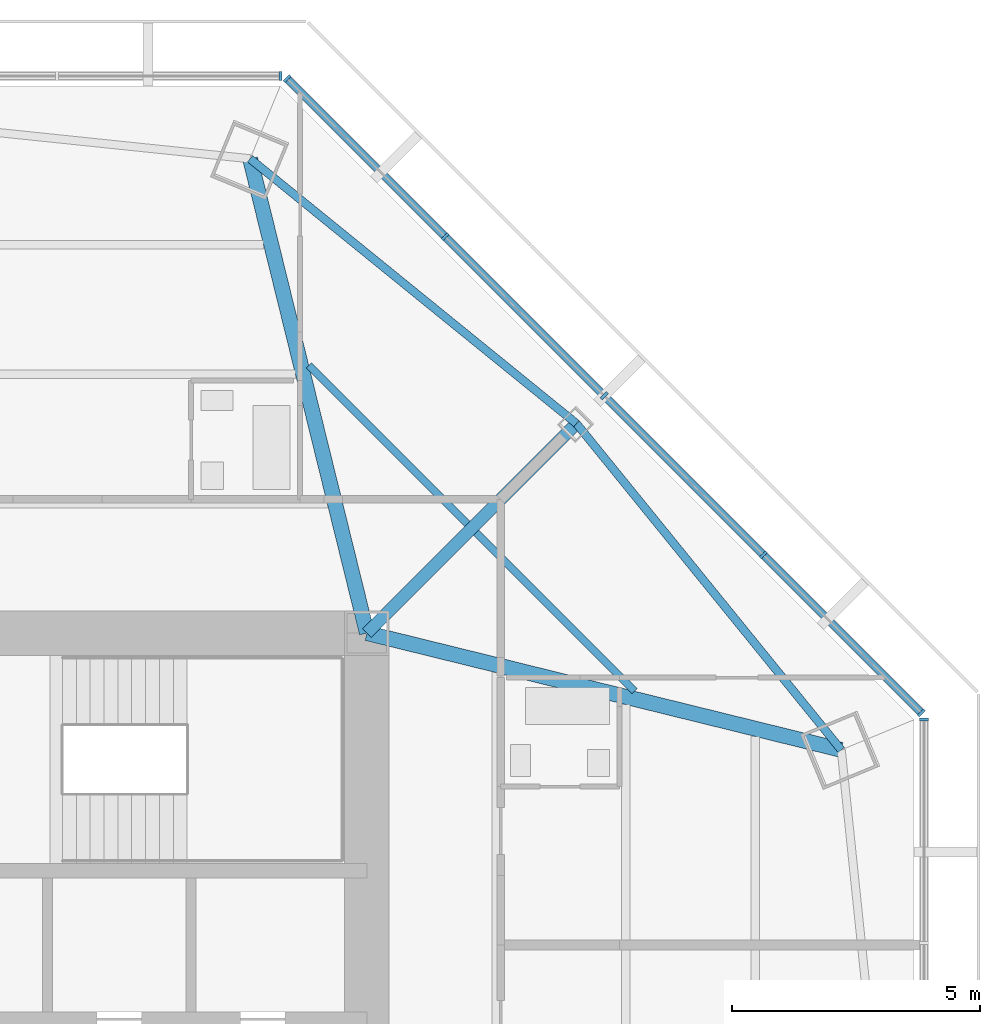
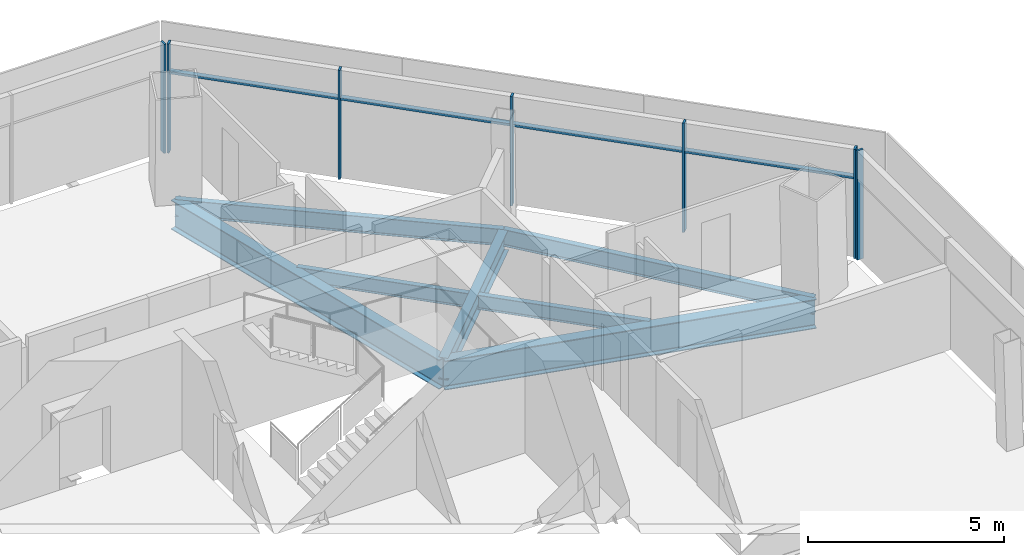
# One storey, part 6 of 15: 11 members, 7 beams, 3 elements without a shape of their own.
"""IFC4 building model written with IfcOpenShell, lengths in metres."""

from ifc_helpers import new_model, si_unit, direction, frame, origin, origin_2d, place, context, subcontext, project, spatial, rectangle, i_section, extrude, source, transform, mapped, material, material_profile, profile_set, type_object, type_shapes, element, aggregate, save


model = new_model("IFC4")

# Units and contexts
model_context = context("Model", 3, precision=1e-05, world=origin(), true_north=direction((0.0, 1.0)))
body_context = subcontext(model_context, "Body", "Model", "MODEL_VIEW")
ifc_project = project(units=[si_unit("LENGTHUNIT", "METRE"), si_unit("AREAUNIT", "SQUARE_METRE"), si_unit("VOLUMEUNIT", "CUBIC_METRE"), si_unit("PLANEANGLEUNIT", "RADIAN"), si_unit("MASSUNIT", "GRAM", prefix="KILO")], contexts=[model_context])

# Site, building, storey
site_placement = place(None, origin())
site = spatial("IfcSite", under=ifc_project, at=site_placement, CompositionType="ELEMENT")
building_placement = place(site_placement, origin())
building = spatial("IfcBuilding", under=site, at=building_placement, Name="Mashrafa Tower", CompositionType="ELEMENT")
storey_placement = place(building_placement, frame((0.0, 0.0, 210.800048828125)))
storey = spatial("IfcBuildingStorey", under=building, at=storey_placement, Name="L48", CompositionType="ELEMENT", Elevation=210.800048828125)

# Beams
ifc_material_1 = material(Name="Steel ASTM A992", Category="steel")
ifc_material_profile_1 = material_profile(ifc_material_1, i_section(OverallWidth=0.15234375, OverallDepth=0.449462890625, WebThickness=0.007568359375, FlangeThickness=0.0107421875, FilletRadius=0.01025390625, at=origin_2d()), Name="W18X35")
ifc_profile_set_1 = profile_set([ifc_material_profile_1], Name="Steel ASTM A992")
beam_type_1 = type_object("IfcBeamType", Name="Beam W18X35", PredefinedType="BEAM", material=ifc_profile_set_1)
for number, where, z_axis, x_axis, name in (
    (1, (9.6259765625, 16.205078125, -0.4248046875), (0.707106781187, -0.707106781187, 0.0), (0.707106781187, 0.707106781187, 0.0), "Floor beam L48 021"),
    (2, (13.00537109375, 12.82568359375, -0.4248046875), (0.707106781187, -0.707106781187, 0.0), (0.707106781187, 0.707106781187, 0.0), "Floor beam L48 025"),
):
    element("IfcBeam", number, at=place(storey_placement, frame(where, z_axis=z_axis, x_axis=x_axis)), inside=storey, type_object=beam_type_1, Name=name, PredefinedType="BEAM", context=body_context, shape_type="SweptSolid", body=[
        extrude(i_section(OverallWidth=0.15234375, OverallDepth=0.449462890625, WebThickness=0.007568359375, FlangeThickness=0.0107421875, FilletRadius=0.01025390625, at=origin_2d()), origin(), (0.0, 0.0, 1.0), 4.525146484375),
    ])
ifc_material_2 = material(Name="Steel ASTM A992", Category="steel")
ifc_material_profile_2 = material_profile(ifc_material_2, i_section(OverallWidth=0.1650390625, OverallDepth=0.52587890625, WebThickness=0.0087890625, FlangeThickness=0.011474609375, FilletRadius=0.0126953125, at=origin_2d()), Name="W21X44")
ifc_profile_set_2 = profile_set([ifc_material_profile_2], Name="Steel ASTM A992")
beam_type_2 = type_object("IfcBeamType", Name="Beam W21X44", PredefinedType="BEAM", material=ifc_profile_set_2)
for number, where, z_axis, x_axis, name in (
    (3, (15.031005859375, 15.031005859375, -0.462890625), (-0.776479921466, 0.630141993173, 0.0), (-0.630141993173, -0.776479921466, 0.0), "Spandrel beam L48 061"),
    (4, (20.37890625, 8.441162109375, -0.462890625), (-0.630141993173, 0.776479921466, 0.0), (-0.776479921466, -0.630141993173, 0.0), "Spandrel beam L48 063"),
):
    element("IfcBeam", number, at=place(storey_placement, frame(where, z_axis=z_axis, x_axis=x_axis)), inside=storey, type_object=beam_type_2, Name=name, PredefinedType="BEAM", context=body_context, shape_type="SweptSolid", body=[
        extrude(i_section(OverallWidth=0.1650390625, OverallDepth=0.52587890625, WebThickness=0.0087890625, FlangeThickness=0.011474609375, FilletRadius=0.0126953125, at=origin_2d()), origin(), (0.0, 0.0, 1.0), 8.48681640625),
    ])
ifc_material_3 = material(Name="Steel ASTM A992", Category="steel")
ifc_material_profile_3 = material_profile(ifc_material_3, i_section(OverallWidth=0.25390625, OverallDepth=0.67822265625, WebThickness=0.01171875, FlangeThickness=0.016357421875, FilletRadius=0.01513671875, at=origin_2d()), Name="W27X84")
ifc_profile_set_3 = profile_set([ifc_material_profile_3], Name="Steel ASTM A992")
beam_type_3 = type_object("IfcBeamType", Name="Beam W27X84", PredefinedType="BEAM", material=ifc_profile_set_3)
beam_placement = place(storey_placement, frame((10.800048828125, 10.800048828125, -0.5390625), z_axis=(0.707106781187, 0.707106781187, 0.0), x_axis=(-0.707106781187, 0.707106781187, 0.0)))
element("IfcBeam", 5, at=beam_placement, inside=storey, type_object=beam_type_3, Name="Radial girder L48 047", PredefinedType="BEAM", context=body_context, shape_type="SweptSolid", body=[
    extrude(i_section(OverallWidth=0.25390625, OverallDepth=0.67822265625, WebThickness=0.01171875, FlangeThickness=0.016357421875, FilletRadius=0.01513671875, at=origin_2d()), origin(), (0.0, 0.0, 1.0), 5.9833984375),
])
ifc_material_4 = material(Name="Steel ASTM A992", Category="steel")
ifc_material_profile_4 = material_profile(ifc_material_4, i_section(OverallWidth=0.3046875, OverallDepth=0.911865234375, WebThickness=0.015869140625, FlangeThickness=0.02392578125, FilletRadius=0.01904296875, at=origin_2d()), Name="W36X150")
ifc_profile_set_4 = profile_set([ifc_material_profile_4], Name="Steel ASTM A992")
beam_type_4 = type_object("IfcBeamType", Name="Beam W36X150", PredefinedType="BEAM", material=ifc_profile_set_4)
for number, where, z_axis, x_axis, name in (
    (6, (10.800048828125, 10.800048828125, -0.656005859375), (-0.2391159727, 0.9709910152, 0.0), (-0.9709910152, -0.2391159727, 0.0), "Radial girder L48 046"),
    (7, (10.800048828125, 10.800048828125, -0.656005859375), (0.9709910152, -0.2391159727, 0.0), (0.2391159727, 0.9709910152, 0.0), "Radial girder L48 048"),
):
    element("IfcBeam", number, at=place(storey_placement, frame(where, z_axis=z_axis, x_axis=x_axis)), inside=storey, type_object=beam_type_4, Name=name, PredefinedType="BEAM", context=body_context, shape_type="SweptSolid", body=[
        extrude(i_section(OverallWidth=0.3046875, OverallDepth=0.911865234375, WebThickness=0.015869140625, FlangeThickness=0.02392578125, FilletRadius=0.01904296875, at=origin_2d()), origin(), (0.0, 0.0, 1.0), 9.864990234375),
    ])

# Curtain wall, member
ifc_material_5 = material(Name="Unitised aluminium curtain wall", Category="aluminium")
curtain_wall_type = type_object("IfcCurtainWallType", Name="Apartment curtain wall, zone 3 CW-C 180 deep", PredefinedType="NOTDEFINED", material=ifc_material_5)
curtain_wall_1_placement = place(storey_placement, origin())
curtain_wall_1 = element("IfcCurtainWall", 8, at=curtain_wall_1_placement, inside=storey, type_object=curtain_wall_type, Name="Apartment curtain wall, zone 3 L48 east", PredefinedType="NOTDEFINED")
ifc_material_6 = material(Name="Extruded aluminium mullion", Category="aluminium")
ifc_material_profile_5 = material_profile(ifc_material_6, rectangle(XDim=0.179931640625, YDim=0.06005859375, at=origin_2d()), Name="Mullion 60x180")
ifc_profile_set_5 = profile_set([ifc_material_profile_5], Name="Extruded aluminium mullion")
member_type_1 = type_object("IfcMemberType", Name="Mullion CW-C 60 x 180", PredefinedType="MULLION", material=ifc_profile_set_5)
shared_shape_1 = source(origin(), body_context, "Body", "SweptSolid", [
    extrude(rectangle(XDim=0.179931640625, YDim=0.06005859375, at=origin_2d()), origin(), (0.0, 0.0, 1.0), 3.39990234375),
])
type_shapes(member_type_1, [shared_shape_1])
member_1_placement = place(storey_placement, frame((22.051513671875, 9.056640625, 0.0), z_axis=(0.0, 0.0, 1.0), x_axis=(-1.0, 0.0, 0.0)))
member_1 = element("IfcMember", 9, at=member_1_placement, type_object=member_type_1, Name="CW-C mullion 5", PredefinedType="MULLION", context=body_context, shape_type="MappedRepresentation", body=[
    mapped(shared_shape_1, transform((0.0, 0.0, 0.0))),
])
aggregate(curtain_wall_1, [member_1])

# Curtain wall, members
curtain_wall_2_placement = place(storey_placement, origin())
curtain_wall_2 = element("IfcCurtainWall", 10, at=curtain_wall_2_placement, inside=storey, type_object=curtain_wall_type, Name="Apartment curtain wall, zone 3 L48 north-east", PredefinedType="NOTDEFINED")
member_2_placement = place(storey_placement, frame((21.996826171875, 9.188720703125, 0.0), z_axis=(0.0, 0.0, 1.0), x_axis=(-0.707106781187, -0.707106781187, 0.0)))
member_2 = element("IfcMember", 11, at=member_2_placement, type_object=member_type_1, Name="CW-C mullion 1", PredefinedType="MULLION", context=body_context, shape_type="MappedRepresentation", body=[
    mapped(shared_shape_1, transform((0.0, 0.0, 0.0))),
])
member_3_placement = place(storey_placement, frame((18.805419921875, 12.380126953125, 0.0), z_axis=(0.0, 0.0, 1.0), x_axis=(-0.707106781187, -0.707106781187, 0.0)))
member_3 = element("IfcMember", 12, at=member_3_placement, type_object=member_type_1, Name="CW-C mullion 2", PredefinedType="MULLION", context=body_context, shape_type="MappedRepresentation", body=[
    mapped(shared_shape_1, transform((0.0, 0.0, 0.0))),
])
member_4_placement = place(storey_placement, frame((15.5927734375, 15.5927734375, 0.0), z_axis=(0.0, 0.0, 1.0), x_axis=(-0.707106781187, -0.707106781187, 0.0)))
member_4 = element("IfcMember", 13, at=member_4_placement, type_object=member_type_1, Name="CW-C mullion 3", PredefinedType="MULLION", context=body_context, shape_type="MappedRepresentation", body=[
    mapped(shared_shape_1, transform((0.0, 0.0, 0.0))),
])
member_5_placement = place(storey_placement, frame((12.380126953125, 18.805419921875, 0.0), z_axis=(0.0, 0.0, 1.0), x_axis=(-0.707106781187, -0.707106781187, 0.0)))
member_5 = element("IfcMember", 14, at=member_5_placement, type_object=member_type_1, Name="CW-C mullion 4", PredefinedType="MULLION", context=body_context, shape_type="MappedRepresentation", body=[
    mapped(shared_shape_1, transform((0.0, 0.0, 0.0))),
])
member_6_placement = place(storey_placement, frame((9.188720703125, 21.996826171875, 0.0), z_axis=(0.0, 0.0, 1.0), x_axis=(-0.707106781187, -0.707106781187, 0.0)))
member_6 = element("IfcMember", 15, at=member_6_placement, type_object=member_type_1, Name="CW-C mullion 5", PredefinedType="MULLION", context=body_context, shape_type="MappedRepresentation", body=[
    mapped(shared_shape_1, transform((0.0, 0.0, 0.0))),
])

# Curtain wall, member
curtain_wall_3_placement = place(storey_placement, origin())
curtain_wall_3 = element("IfcCurtainWall", 16, at=curtain_wall_3_placement, inside=storey, type_object=curtain_wall_type, Name="Apartment curtain wall, zone 3 L48 north", PredefinedType="NOTDEFINED")
member_7_placement = place(storey_placement, frame((9.056640625, 22.051513671875, 0.0), z_axis=(0.0, 0.0, 1.0), x_axis=(0.0, -1.0, 0.0)))
member_7 = element("IfcMember", 17, at=member_7_placement, type_object=member_type_1, Name="CW-C mullion 1", PredefinedType="MULLION", context=body_context, shape_type="MappedRepresentation", body=[
    mapped(shared_shape_1, transform((0.0, 0.0, 0.0))),
])
aggregate(curtain_wall_3, [member_7])

# Member
ifc_material_7 = material(Name="Extruded aluminium transom", Category="aluminium")
ifc_material_profile_6 = material_profile(ifc_material_7, rectangle(XDim=0.14404296875, YDim=0.074951171875, at=origin_2d()), Name="Transom 75x144")
ifc_profile_set_6 = profile_set([ifc_material_profile_6], Name="Extruded aluminium transom")
member_type_2 = type_object("IfcMemberType", Name="Transom CW-C 75 x 144", PredefinedType="MULLION", material=ifc_profile_set_6)
shared_shape_2 = source(origin(), body_context, "Body", "SweptSolid", [
    extrude(rectangle(XDim=0.14404296875, YDim=0.074951171875, at=origin_2d()), origin(), (0.0, 0.0, 1.0), 4.453369140625),
])
member_8_placement = place(storey_placement, frame((21.9755859375, 9.2099609375, 2.5), z_axis=(-0.707106781187, 0.707106781187, 0.0), x_axis=(-0.707106781187, -0.707106781187, 0.0)))
member_8 = element("IfcMember", 18, at=member_8_placement, type_object=member_type_2, Name="CW-C transom 1", PredefinedType="MULLION", context=body_context, shape_type="MappedRepresentation", body=[
    mapped(shared_shape_2, transform((0.0, 0.0, 0.0))),
])

member_9_placement = place(storey_placement, frame((12.35888671875, 18.82666015625, 2.5), z_axis=(-0.707106781187, 0.707106781187, 0.0), x_axis=(-0.707106781187, -0.707106781187, 0.0)))
member_9 = element("IfcMember", 19, at=member_9_placement, type_object=member_type_2, Name="CW-C transom 4", PredefinedType="MULLION", context=body_context, shape_type="MappedRepresentation", body=[
    mapped(shared_shape_2, transform((0.0, 0.0, 0.0))),
])

shared_shape_3 = source(origin(), body_context, "Body", "SweptSolid", [
    extrude(rectangle(XDim=0.14404296875, YDim=0.074951171875, at=origin_2d()), origin(), (0.0, 0.0, 1.0), 4.4833984375),
])
type_shapes(member_type_2, [shared_shape_2, shared_shape_3])
member_10_placement = place(storey_placement, frame((18.7841796875, 12.4013671875, 2.5), z_axis=(-0.707106781187, 0.707106781187, 0.0), x_axis=(-0.707106781187, -0.707106781187, 0.0)))
member_10 = element("IfcMember", 20, at=member_10_placement, type_object=member_type_2, Name="CW-C transom 2", PredefinedType="MULLION", context=body_context, shape_type="MappedRepresentation", body=[
    mapped(shared_shape_3, transform((0.0, 0.0, 0.0))),
])

member_11_placement = place(storey_placement, frame((15.571533203125, 15.614013671875, 2.5), z_axis=(-0.707106781187, 0.707106781187, 0.0), x_axis=(-0.707106781187, -0.707106781187, 0.0)))
member_11 = element("IfcMember", 21, at=member_11_placement, type_object=member_type_2, Name="CW-C transom 3", PredefinedType="MULLION", context=body_context, shape_type="MappedRepresentation", body=[
    mapped(shared_shape_3, transform((0.0, 0.0, 0.0))),
])

aggregate(curtain_wall_2, [member_2, member_3, member_4, member_5, member_6, member_8, member_10, member_11, member_9])

save(model, "model.ifc")
